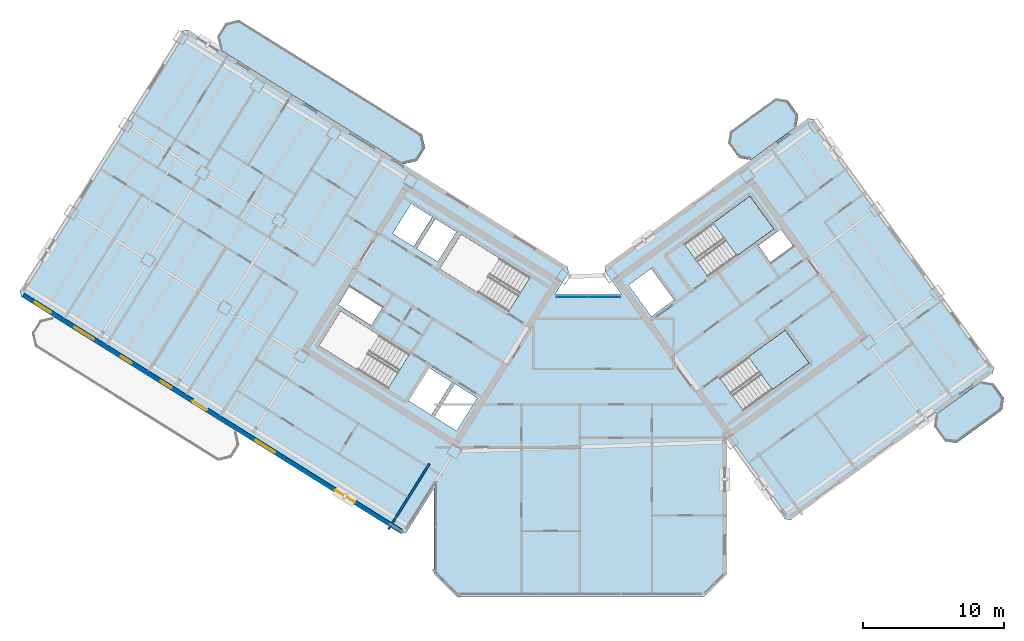
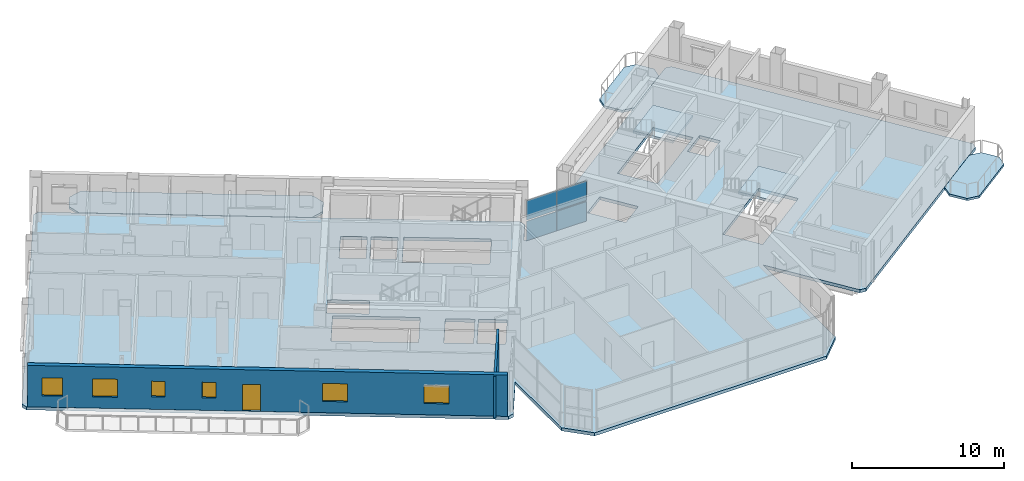
# One storey, part 15 of 27: 6 slabs, 6 windows, 4 plates, 2 walls, 1 door, 7 openings, 3 elements without a shape of their own.
"""IFC4 building model written with IfcOpenShell, lengths in metres."""

from ifc_helpers import new_model, si_unit, direction, frame, frame_2d, origin, origin_2d, place, context, subcontext, project, spatial, polyline, rectangle, outline, extrude, source, transform, mapped, material, layer, layer_set, type_object, element, fill, aggregate, save


model = new_model("IFC4")

# Units and contexts
model_context = context("Model", 3, precision=1e-05, world=origin(), true_north=direction((0.0, 1.0)))
body_context = subcontext(model_context, "Body", "Model", "MODEL_VIEW")
ifc_project = project(units=[si_unit("LENGTHUNIT", "METRE"), si_unit("AREAUNIT", "SQUARE_METRE"), si_unit("VOLUMEUNIT", "CUBIC_METRE"), si_unit("PLANEANGLEUNIT", "RADIAN"), si_unit("MASSUNIT", "GRAM", prefix="KILO")], contexts=[model_context])

# Site, building, storey
site_placement = place(None, origin())
site = spatial("IfcSite", under=ifc_project, at=site_placement, CompositionType="ELEMENT")
building_placement = place(site_placement, origin())
building = spatial("IfcBuilding", under=site, at=building_placement, Name="Tlacorven Tower", CompositionType="ELEMENT")
storey_placement = place(building_placement, frame((0.0, 0.0, 242.10009765625)))
storey = spatial("IfcBuildingStorey", under=building, at=storey_placement, Name="L61", CompositionType="ELEMENT", Elevation=242.10009765625)

# Slabs
ifc_material_1 = material(Name="Precast concrete C45/55", Category="concrete")
ifc_layer_1 = layer(ifc_material_1, 0.179931640625)
ifc_layer_set_1 = layer_set([ifc_layer_1], Name="Precast concrete C45/55")
slab_type_1 = type_object("IfcSlabType", Name="SL-BAL-180", PredefinedType="USERDEFINED", material=ifc_layer_set_1)
slab_1_placement = place(storey_placement, frame((0.0, 0.0, -0.18017578125)))
element("IfcSlab", 1, at=slab_1_placement, inside=storey, type_object=slab_type_1, Name="L61 West Wing Balcony Ribbon IN", ObjectType="BALCONY SLAB", PredefinedType="USERDEFINED", context=body_context, shape_type="SweptSolid", body=[
    extrude(outline(polyline([(30.756591796875, 34.57763671875), (17.781494140625, 42.685546875), (16.81689453125, 42.462890625), (16.236572265625, 41.5341796875), (16.459228515625, 40.569580078125), (29.434326171875, 32.4619140625), (30.39892578125, 32.6845703125), (30.979248046875, 33.613037109375), (30.756591796875, 34.57763671875)])), origin(), (0.0, 0.0, 1.0), 0.18017578125),
])
slab_2_placement = place(storey_placement, frame((0.0, 0.0, -0.18017578125)))
element("IfcSlab", 2, at=slab_2_placement, inside=storey, type_object=slab_type_1, Name="L61 East Wing Balcony Ribbon OUT", ObjectType="BALCONY SLAB", PredefinedType="USERDEFINED", context=body_context, shape_type="SweptSolid", body=[
    extrude(outline(polyline([(68.669921875, 12.678955078125), (71.906005859375, 15.0302734375), (72.03857421875, 15.8681640625), (71.27734375, 16.916015625), (70.439453125, 17.048583984375), (67.203369140625, 14.697509765625), (67.070556640625, 13.859375), (67.831787109375, 12.811767578125), (68.669921875, 12.678955078125)])), origin(), (0.0, 0.0, 1.0), 0.18017578125),
])
slab_3_placement = place(storey_placement, frame((0.0, 0.0, -0.18017578125)))
element("IfcSlab", 3, at=slab_3_placement, inside=storey, type_object=slab_type_1, Name="L61 East Wing Balcony Ribbon IN", ObjectType="BALCONY SLAB", PredefinedType="USERDEFINED", context=body_context, shape_type="SweptSolid", body=[
    extrude(outline(polyline([(54.078125, 32.762939453125), (57.314208984375, 35.114013671875), (57.44677734375, 35.9521484375), (56.685791015625, 36.999755859375), (55.84765625, 37.132568359375), (52.611572265625, 34.78125), (52.478759765625, 33.943359375), (53.239990234375, 32.8955078125), (54.078125, 32.762939453125)])), origin(), (0.0, 0.0, 1.0), 0.18017578125),
])

# Stair, slab
ifc_material_2 = material(Name="Concrete C40/50", Category="concrete")
stair_type = type_object("IfcStairType", Name="ST-CORE-DLG", PredefinedType="HALF_TURN_STAIR", material=ifc_material_2)
stair_1_placement = place(storey_placement, origin())
stair_1 = element("IfcStair", 4, at=stair_1_placement, inside=storey, type_object=stair_type, Name="L61 Protected Exit Stair East 1", PredefinedType="HALF_TURN_STAIR")
ifc_layer_2 = layer(ifc_material_2, 0.199951171875)
ifc_layer_set_2 = layer_set([ifc_layer_2], Name="Concrete C40/50")
slab_type_2 = type_object("IfcSlabType", Name="SL-LND-200", PredefinedType="LANDING", material=ifc_layer_set_2)
slab_4_placement = place(storey_placement, frame((0.0, 0.0, 1.599853515625)))
slab_4 = element("IfcSlab", 5, at=slab_4_placement, type_object=slab_type_2, Name="ST-E1 landing 1", PredefinedType="LANDING", context=body_context, shape_type="SweptSolid", body=[
    extrude(outline(polyline([(53.09765625, 25.962890625), (55.7109375, 27.861572265625), (54.01806640625, 30.19140625), (51.40478515625, 28.29296875), (53.09765625, 25.962890625)])), origin(), (0.0, 0.0, 1.0), 0.199951171875),
])
aggregate(stair_1, [slab_4])

stair_2_placement = place(storey_placement, origin())
stair_2 = element("IfcStair", 6, at=stair_2_placement, inside=storey, type_object=stair_type, Name="L61 Protected Exit Stair East 2", PredefinedType="HALF_TURN_STAIR")
slab_5_placement = place(storey_placement, frame((0.0, 0.0, 1.599853515625)))
slab_5 = element("IfcSlab", 7, at=slab_5_placement, type_object=slab_type_2, Name="ST-E2 landing 1", PredefinedType="LANDING", context=body_context, shape_type="SweptSolid", body=[
    extrude(outline(polyline([(55.601806640625, 16.4599609375), (58.21484375, 18.3583984375), (56.52197265625, 20.6884765625), (53.908935546875, 18.789794921875), (55.601806640625, 16.4599609375)])), origin(), (0.0, 0.0, 1.0), 0.199951171875),
])
aggregate(stair_2, [slab_5])

# Slab
ifc_layer_3 = layer(ifc_material_2, 0.25)
ifc_layer_set_3 = layer_set([ifc_layer_3], Name="Concrete C40/50")
slab_type_3 = type_object("IfcSlabType", Name="SL-TWR-250", PredefinedType="FLOOR", material=ifc_layer_set_3)
slab_6_placement = place(storey_placement, frame((0.0, 0.0, -0.25)))
element("IfcSlab", 8, at=slab_6_placement, inside=storey, type_object=slab_type_3, Name="L61 Boomerang Tower Floor Slab", PredefinedType="FLOOR", context=body_context, shape_type="SweptSolid", body=[
    extrude(outline(polyline([(52.39990234375, 3.39990234375), (50.800048828125, 1.800048828125), (33.199951171875, 1.800048828125), (31.60009765625, 3.39990234375), (31.60009765625, 9.470703125), (29.652587890625, 6.35400390625), (29.2392578125, 6.258544921875), (2.339111328125, 23.067626953125), (2.24365234375, 23.481201171875), (13.75341796875, 41.900634765625), (14.1669921875, 41.99609375), (41.06689453125, 25.18701171875), (41.162353515625, 24.773681640625), (40.178955078125, 23.199951171875), (44.932373046875, 23.199951171875), (43.723876953125, 24.86328125), (43.790283203125, 25.2822265625), (58.1259765625, 35.69775390625), (58.545166015625, 35.63134765625), (71.311767578125, 18.0595703125), (71.245361328125, 17.640380859375), (56.90966796875, 7.224853515625), (56.49072265625, 7.291259765625), (52.39990234375, 12.921630859375), (52.39990234375, 3.39990234375)]), holes=[polyline([(29.865478515625, 18.979736328125), (24.9892578125, 22.02685546875), (23.463134765625, 19.58447265625), (28.33935546875, 16.537353515625), (29.865478515625, 18.979736328125)]), polyline([(38.4169921875, 24.4375), (33.540771484375, 27.484375), (32.0146484375, 25.0419921875), (36.890869140625, 21.9951171875), (38.4169921875, 24.4375)]), polyline([(51.05908203125, 24.481689453125), (55.7109375, 27.861572265625), (54.01806640625, 30.19140625), (49.3662109375, 26.811767578125), (51.05908203125, 24.481689453125)]), polyline([(53.56298828125, 14.978759765625), (58.21484375, 18.3583984375), (56.52197265625, 20.6884765625), (51.8701171875, 17.30859375), (53.56298828125, 14.978759765625)]), polyline([(34.682373046875, 15.87548828125), (33.088134765625, 16.871826171875), (31.62548828125, 14.531005859375), (33.2197265625, 13.534912109375), (34.682373046875, 15.87548828125)]), polyline([(32.884521484375, 16.9990234375), (31.2392578125, 18.02685546875), (29.77685546875, 15.686279296875), (31.421875, 14.658203125), (32.884521484375, 16.9990234375)]), polyline([(47.0234375, 21.648681640625), (48.6416015625, 22.82421875), (47.019287109375, 25.05712890625), (45.401123046875, 23.881591796875), (47.0234375, 21.648681640625)]), polyline([(33.197265625, 27.65185546875), (31.704833984375, 28.58447265625), (30.3798828125, 26.46435546875), (31.87255859375, 25.53173828125), (33.197265625, 27.65185546875)]), polyline([(31.484375, 28.722412109375), (29.99169921875, 29.655029296875), (28.6669921875, 27.534912109375), (30.159423828125, 26.602294921875), (31.484375, 28.722412109375)]), polyline([(27.96142578125, 22.2919921875), (25.603759765625, 23.76513671875), (24.80908203125, 22.4931640625), (27.16650390625, 21.02001953125), (27.96142578125, 22.2919921875)]), polyline([(55.490478515625, 25.4765625), (57.092529296875, 26.640380859375), (56.210693359375, 27.85400390625), (54.60888671875, 26.690185546875), (55.490478515625, 25.4765625)])]), origin(), (0.0, 0.0, 1.0), 0.25),
])

# Curtain wall, plates
ifc_material_3 = material(Name="Dark solar low-E double glazing in aluminium frame", Category="aluminium")
curtain_wall_type = type_object("IfcCurtainWallType", Name="CW-TWR-HIGH", PredefinedType="USERDEFINED", material=ifc_material_3)
curtain_wall_placement = place(storey_placement, origin())
curtain_wall = element("IfcCurtainWall", 9, at=curtain_wall_placement, inside=storey, type_object=curtain_wall_type, Name="L61 CW-TWR-HIGH Curtain Wall 283", ObjectType="UNITISED CURTAIN WALL", PredefinedType="USERDEFINED")
ifc_material_4 = material(Name="High-wind dark solar tempered low-E glazing", Category="glass")
ifc_layer_4 = layer(ifc_material_4, 0.028076171875)
ifc_layer_set_4 = layer_set([ifc_layer_4], Name="High-wind dark solar tempered low-E glazing")
plate_type = type_object("IfcPlateType", Name="CWP-03", PredefinedType="CURTAIN_PANEL", material=ifc_layer_set_4)
shared_shape_1 = source(origin(), body_context, "Body", "SweptSolid", [
    extrude(rectangle(XDim=2.246337890625, YDim=0.028076171875, at=origin_2d()), origin(), (0.0, 0.0, 1.0), 1.55810546875),
])
plate_1_placement = place(storey_placement, frame((41.41796875, 23.0400390625, 0.05078125), z_axis=(0.0, 0.0, 1.0), x_axis=(1.0, 0.0, 0.0)))
plate_1 = element("IfcPlate", 10, at=plate_1_placement, type_object=plate_type, Name="CW-L61-283 Glazing Panel 1", PredefinedType="CURTAIN_PANEL", context=body_context, shape_type="MappedRepresentation", body=[
    mapped(shared_shape_1, transform((0.0, 0.0, 0.0), scale=1.0)),
])
plate_2_placement = place(storey_placement, frame((41.41796875, 23.0400390625, 1.7109375), z_axis=(0.0, 0.0, 1.0), x_axis=(1.0, 0.0, 0.0)))
plate_2 = element("IfcPlate", 11, at=plate_2_placement, type_object=plate_type, Name="CW-L61-283 Glazing Panel 2", PredefinedType="CURTAIN_PANEL", context=body_context, shape_type="MappedRepresentation", body=[
    mapped(shared_shape_1, transform((0.0, 0.0, 0.0), scale=1.0)),
])
plate_3_placement = place(storey_placement, frame((43.706298828125, 23.0400390625, 0.05078125), z_axis=(0.0, 0.0, 1.0), x_axis=(1.0, 0.0, 0.0)))
plate_3 = element("IfcPlate", 12, at=plate_3_placement, type_object=plate_type, Name="CW-L61-283 Glazing Panel 3", PredefinedType="CURTAIN_PANEL", context=body_context, shape_type="MappedRepresentation", body=[
    mapped(shared_shape_1, transform((0.0, 0.0, 0.0), scale=1.0)),
])
plate_4_placement = place(storey_placement, frame((43.706298828125, 23.0400390625, 1.7109375), z_axis=(0.0, 0.0, 1.0), x_axis=(1.0, 0.0, 0.0)))
plate_4 = element("IfcPlate", 13, at=plate_4_placement, type_object=plate_type, Name="CW-L61-283 Glazing Panel 4", PredefinedType="CURTAIN_PANEL", context=body_context, shape_type="MappedRepresentation", body=[
    mapped(shared_shape_1, transform((0.0, 0.0, 0.0), scale=1.0)),
])
aggregate(curtain_wall, [plate_1, plate_2, plate_3, plate_4])

# Wall
ifc_material_5 = material(Name="Gypsum plasterboard acoustic partition", Category="gypsum")
ifc_layer_5 = layer(ifc_material_5, 0.159912109375)
ifc_layer_set_5 = layer_set([ifc_layer_5], Name="Gypsum plasterboard acoustic partition")
wall_type_1 = type_object("IfcWallType", Name="WL-DEM-160", PredefinedType="PARTITIONING", material=ifc_layer_set_5)
wall_1_placement = place(storey_placement, frame((31.282470703125, 11.2080078125, 0.0), z_axis=(0.0, 0.0, 1.0), x_axis=(-0.529938869374, -0.84803584519, 0.0)))
element("IfcWall", 14, at=wall_1_placement, inside=storey, type_object=wall_type_1, Name="L61 WC West Throat Wall", PredefinedType="PARTITIONING", context=body_context, shape_type="SweptSolid", body=[
    extrude(rectangle(XDim=5.47998046875, YDim=0.159912109375, at=frame_2d((2.739990234375, 0.0))), origin(), (0.0, 0.0, 1.0), 3.309814453125),
])

# Wall, openings, door, windows
ifc_layer_6 = layer(ifc_material_1, 0.320068359375)
ifc_layer_set_6 = layer_set([ifc_layer_6], Name="Precast concrete C45/55")
wall_type_2 = type_object("IfcWallType", Name="WL-EXT-320", PredefinedType="STANDARD", material=ifc_layer_set_6)
wall_2_placement = place(storey_placement, frame((29.267822265625, 6.429443359375, 0.0), z_axis=(0.0, 0.0, 1.0), x_axis=(-0.848049971435, 0.529916263149, 0.0)))
wall_2 = element("IfcWall", 15, at=wall_2_placement, inside=storey, type_object=wall_type_2, Name="L61 Masonry-Frame Recessed Facade Wall 1", PredefinedType="STANDARD", context=body_context, shape_type="SweptSolid", body=[
    extrude(rectangle(XDim=31.587646484375, YDim=0.320068359375, at=frame_2d((15.7939453125, 0.0))), origin(), (0.0, 0.0, 1.0), 3.31982421875),
])
opening_1_placement = place(wall_2_placement, frame((16.234619140625, 0.0, 0.0)))
opening_1 = element("IfcOpeningElement", 16, at=opening_1_placement, cuts=wall_2, Name="Opening D05", PredefinedType="OPENING", context=body_context, shape_type="SweptSolid", body=[
    extrude(rectangle(XDim=1.199951171875, YDim=2.14990234375, at=frame_2d((0.60009765625, 1.074951171875))), frame((0.0, 0.169921875, 0.0), z_axis=(0.0, -1.0, 0.0), x_axis=(1.0, 0.0, 0.0)), (0.0, 0.0, 1.0), 0.340087890625),
])
opening_2_placement = place(wall_2_placement, frame((3.858642578125, 0.0, 0.89990234375)))
opening_2 = element("IfcOpeningElement", 17, at=opening_2_placement, cuts=wall_2, Name="Opening WN07", PredefinedType="OPENING", context=body_context, shape_type="SweptSolid", body=[
    extrude(rectangle(XDim=1.64990234375, YDim=1.449951171875, at=frame_2d((0.824951171875, 0.72509765625))), frame((0.0, 0.169921875, 0.0), z_axis=(0.0, -1.0, 0.0), x_axis=(1.0, 0.0, 0.0)), (0.0, 0.0, 1.0), 0.340087890625),
])
opening_3_placement = place(wall_2_placement, frame((10.518798828125, 0.0, 0.89990234375)))
opening_3 = element("IfcOpeningElement", 18, at=opening_3_placement, cuts=wall_2, Name="Opening WN07", PredefinedType="OPENING", context=body_context, shape_type="SweptSolid", body=[
    extrude(rectangle(XDim=1.64990234375, YDim=1.449951171875, at=frame_2d((0.824951171875, 0.72509765625))), frame((0.0, 0.169921875, 0.0), z_axis=(0.0, -1.0, 0.0), x_axis=(1.0, 0.0, 0.0)), (0.0, 0.0, 1.0), 0.340087890625),
])
opening_4_placement = place(wall_2_placement, frame((19.18212890625, 0.0, 1.0)))
opening_4 = element("IfcOpeningElement", 19, at=opening_4_placement, cuts=wall_2, Name="Opening WN05", PredefinedType="OPENING", context=body_context, shape_type="SweptSolid", body=[
    extrude(rectangle(XDim=0.89990234375, YDim=1.25, at=frame_2d((0.449951171875, 0.625))), frame((0.0, 0.169921875, 0.0), z_axis=(0.0, -1.0, 0.0), x_axis=(1.0, 0.0, 0.0)), (0.0, 0.0, 1.0), 0.340087890625),
])
opening_5_placement = place(wall_2_placement, frame((22.524169921875, 0.0, 1.0)))
opening_5 = element("IfcOpeningElement", 20, at=opening_5_placement, cuts=wall_2, Name="Opening WN05", PredefinedType="OPENING", context=body_context, shape_type="SweptSolid", body=[
    extrude(rectangle(XDim=0.89990234375, YDim=1.25, at=frame_2d((0.449951171875, 0.625))), frame((0.0, 0.169921875, 0.0), z_axis=(0.0, -1.0, 0.0), x_axis=(1.0, 0.0, 0.0)), (0.0, 0.0, 1.0), 0.340087890625),
])
opening_6_placement = place(wall_2_placement, frame((25.658203125, 0.0, 0.89990234375)))
opening_6 = element("IfcOpeningElement", 21, at=opening_6_placement, cuts=wall_2, Name="Opening WN07", PredefinedType="OPENING", context=body_context, shape_type="SweptSolid", body=[
    extrude(rectangle(XDim=1.64990234375, YDim=1.449951171875, at=frame_2d((0.824951171875, 0.72509765625))), frame((0.0, 0.169921875, 0.0), z_axis=(0.0, -1.0, 0.0), x_axis=(1.0, 0.0, 0.0)), (0.0, 0.0, 1.0), 0.340087890625),
])
opening_7_placement = place(wall_2_placement, frame((29.277587890625, 0.0, 0.89990234375)))
opening_7 = element("IfcOpeningElement", 22, at=opening_7_placement, cuts=wall_2, Name="Opening WN08", PredefinedType="OPENING", context=body_context, shape_type="SweptSolid", body=[
    extrude(rectangle(XDim=1.35009765625, YDim=1.449951171875, at=frame_2d((0.675048828125, 0.72509765625))), frame((0.0, 0.169921875, 0.0), z_axis=(0.0, -1.0, 0.0), x_axis=(1.0, 0.0, 0.0)), (0.0, 0.0, 1.0), 0.340087890625),
])
ifc_material_6 = material(Name="Powder-coated aluminium and timber door", Category="wood")
door_type = type_object("IfcDoorType", Name="DR-EXT-BALC-1200", OperationType="NOTDEFINED", PredefinedType="DOOR", material=ifc_material_6)
shared_shape_2 = source(origin(), body_context, "Body", "SweptSolid", [
    extrude(rectangle(XDim=1.199951171875, YDim=2.14990234375, at=frame_2d((0.60009765625, 1.074951171875))), frame((0.0, 0.02490234375, 0.0), z_axis=(0.0, -1.0, 0.0), x_axis=(1.0, 0.0, 0.0)), (0.0, 0.0, 1.0), 0.050048828125),
])
door_placement = place(opening_1_placement, origin())
door = element("IfcDoor", 23, at=door_placement, inside=storey, type_object=door_type, Name="L61 Outdoor Access Door BAL-L61-W-OUT", OperationType="SINGLE_SWING_LEFT", OverallHeight=2.14990234375, OverallWidth=1.199951171875, PredefinedType="DOOR", context=body_context, shape_type="MappedRepresentation", body=[
    mapped(shared_shape_2, transform((0.0, 0.0, 0.0), scale=1.0)),
])
fill(opening_1, door)
ifc_material_7 = material(Name="Dark solar low-E double glazing in anodised aluminium frame", Category="aluminium")
window_type_1 = type_object("IfcWindowType", Name="WN-APT-0900X1350", PartitioningType="SINGLE_PANEL", PredefinedType="WINDOW", material=ifc_material_7)
shared_shape_3 = source(origin(), body_context, "Body", "SweptSolid", [
    extrude(rectangle(XDim=0.89990234375, YDim=1.25, at=frame_2d((0.449951171875, 0.625))), frame((0.0, 0.030029296875, 0.0), z_axis=(0.0, -1.0, 0.0), x_axis=(1.0, 0.0, 0.0)), (0.0, 0.0, 1.0), 0.06005859375),
])
window_1_placement = place(opening_4_placement, origin())
window_1 = element("IfcWindow", 24, at=window_1_placement, inside=storey, type_object=window_type_1, Name="L61 Recessed Masonry-Frame Window L61-01.3", OverallHeight=1.25, OverallWidth=0.89990234375, PartitioningType="SINGLE_PANEL", PredefinedType="WINDOW", context=body_context, shape_type="MappedRepresentation", body=[
    mapped(shared_shape_3, transform((0.0, 0.0, 0.0), scale=1.0)),
])
fill(opening_4, window_1)
window_2_placement = place(opening_5_placement, origin())
window_2 = element("IfcWindow", 25, at=window_2_placement, inside=storey, type_object=window_type_1, Name="L61 Recessed Masonry-Frame Window L61-01.4", OverallHeight=1.25, OverallWidth=0.89990234375, PartitioningType="SINGLE_PANEL", PredefinedType="WINDOW", context=body_context, shape_type="MappedRepresentation", body=[
    mapped(shared_shape_3, transform((0.0, 0.0, 0.0), scale=1.0)),
])
fill(opening_5, window_2)
window_type_2 = type_object("IfcWindowType", Name="WN-APT-1650X1600", PartitioningType="SINGLE_PANEL", PredefinedType="WINDOW", material=ifc_material_7)
shared_shape_4 = source(origin(), body_context, "Body", "SweptSolid", [
    extrude(rectangle(XDim=1.64990234375, YDim=1.449951171875, at=frame_2d((0.824951171875, 0.72509765625))), frame((0.0, 0.030029296875, 0.0), z_axis=(0.0, -1.0, 0.0), x_axis=(1.0, 0.0, 0.0)), (0.0, 0.0, 1.0), 0.06005859375),
])
window_3_placement = place(opening_2_placement, origin())
window_3 = element("IfcWindow", 26, at=window_3_placement, inside=storey, type_object=window_type_2, Name="L61 Recessed Masonry-Frame Window L61-01.1", OverallHeight=1.449951171875, OverallWidth=1.64990234375, PartitioningType="SINGLE_PANEL", PredefinedType="WINDOW", context=body_context, shape_type="MappedRepresentation", body=[
    mapped(shared_shape_4, transform((0.0, 0.0, 0.0), scale=1.0)),
])
fill(opening_2, window_3)
window_4_placement = place(opening_3_placement, origin())
window_4 = element("IfcWindow", 27, at=window_4_placement, inside=storey, type_object=window_type_2, Name="L61 Recessed Masonry-Frame Window L61-01.2", OverallHeight=1.449951171875, OverallWidth=1.64990234375, PartitioningType="SINGLE_PANEL", PredefinedType="WINDOW", context=body_context, shape_type="MappedRepresentation", body=[
    mapped(shared_shape_4, transform((0.0, 0.0, 0.0), scale=1.0)),
])
fill(opening_3, window_4)
window_5_placement = place(opening_6_placement, origin())
window_5 = element("IfcWindow", 28, at=window_5_placement, inside=storey, type_object=window_type_2, Name="L61 Recessed Masonry-Frame Window L61-01.5", OverallHeight=1.449951171875, OverallWidth=1.64990234375, PartitioningType="SINGLE_PANEL", PredefinedType="WINDOW", context=body_context, shape_type="MappedRepresentation", body=[
    mapped(shared_shape_4, transform((0.0, 0.0, 0.0), scale=1.0)),
])
fill(opening_6, window_5)
window_type_3 = type_object("IfcWindowType", Name="WN-APT-1350X1550", PartitioningType="SINGLE_PANEL", PredefinedType="WINDOW", material=ifc_material_7)
shared_shape_5 = source(origin(), body_context, "Body", "SweptSolid", [
    extrude(rectangle(XDim=1.35009765625, YDim=1.449951171875, at=frame_2d((0.675048828125, 0.72509765625))), frame((0.0, 0.030029296875, 0.0), z_axis=(0.0, -1.0, 0.0), x_axis=(1.0, 0.0, 0.0)), (0.0, 0.0, 1.0), 0.06005859375),
])
window_6_placement = place(opening_7_placement, origin())
window_6 = element("IfcWindow", 29, at=window_6_placement, inside=storey, type_object=window_type_3, Name="L61 Recessed Masonry-Frame Window L61-01.6", OverallHeight=1.449951171875, OverallWidth=1.35009765625, PartitioningType="SINGLE_PANEL", PredefinedType="WINDOW", context=body_context, shape_type="MappedRepresentation", body=[
    mapped(shared_shape_5, transform((0.0, 0.0, 0.0), scale=1.0)),
])
fill(opening_7, window_6)

save(model, "model.ifc")
